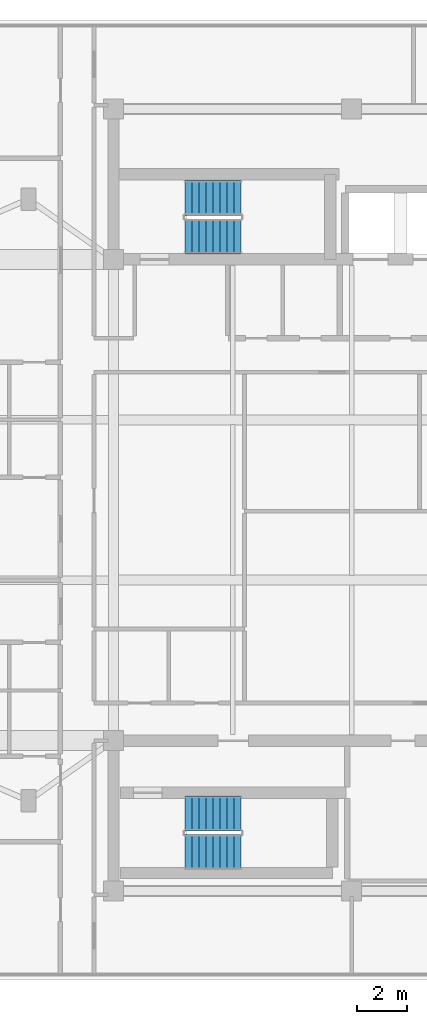
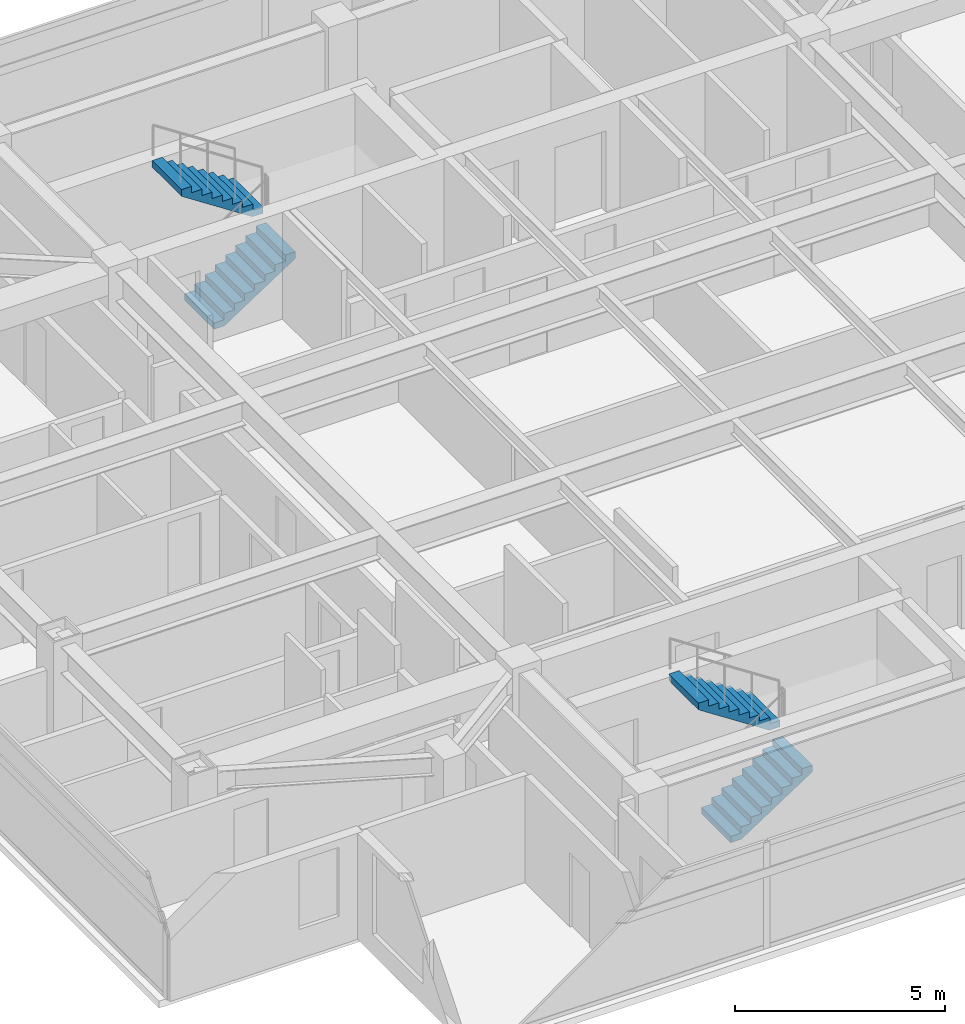
# One storey, part 11 of 14: 4 stair flights, 2 elements without a shape of their own.
"""IFC4 building model written with IfcOpenShell, lengths in metres."""

from ifc_helpers import new_model, si_unit, direction, frame, origin, place, context, subcontext, project, spatial, polyline, outline, extrude, material, type_object, element, aggregate, save


model = new_model("IFC4")

# Units and contexts
model_context = context("Model", 3, precision=1e-05, world=origin(), true_north=direction((0.0, 1.0)))
body_context = subcontext(model_context, "Body", "Model", "MODEL_VIEW")
ifc_project = project(units=[si_unit("LENGTHUNIT", "METRE"), si_unit("AREAUNIT", "SQUARE_METRE"), si_unit("VOLUMEUNIT", "CUBIC_METRE"), si_unit("PLANEANGLEUNIT", "RADIAN"), si_unit("MASSUNIT", "GRAM", prefix="KILO")], contexts=[model_context])

# Site, building, storey
site_placement = place(None, origin())
site = spatial("IfcSite", under=ifc_project, at=site_placement, CompositionType="ELEMENT")
building_placement = place(site_placement, origin())
building = spatial("IfcBuilding", under=site, at=building_placement, Name="Mirazonda Arch Towers", CompositionType="ELEMENT")
storey_placement = place(building_placement, frame((0.0, 0.0, 235.89990234375)))
storey = spatial("IfcBuildingStorey", under=building, at=storey_placement, Name="L67", CompositionType="ELEMENT", Elevation=235.89990234375)

# Stair, stair flights
ifc_material = material(Name="Concrete C40/50", Category="concrete")
stair_type = type_object("IfcStairType", Name="STAIR-CORE-1400", PredefinedType="HALF_TURN_STAIR", material=ifc_material)
stair_1_placement = place(storey_placement, origin())
stair_1 = element("IfcStair", 1, at=stair_1_placement, inside=storey, type_object=stair_type, Name="L67 Protected Exit Stair ST-T1N", PredefinedType="HALF_TURN_STAIR")
stair_flight_type = type_object("IfcStairFlightType", Name="FLIGHT-1400", PredefinedType="STRAIGHT", material=ifc_material)
stair_flight_1_placement = place(storey_placement, frame((13.85009765625, 38.52001953125, 0.0), z_axis=(0.0, 0.0, 1.0), x_axis=(1.0, 0.0, 0.0)))
stair_flight_1 = element("IfcStairFlight", 2, at=stair_flight_1_placement, type_object=stair_flight_type, Name="ST-T1N flight 1", NumberOfRisers=9, NumberOfTreads=8, PredefinedType="STRAIGHT", RiserHeight=0.183333333, TreadLength=0.28, context=body_context, shape_type="SweptSolid", body=[
    extrude(outline(polyline([(0.0, 0.0), (0.0, 0.183349609375), (0.280029296875, 0.183349609375), (0.280029296875, 0.36669921875), (0.56005859375, 0.36669921875), (0.56005859375, 0.550048828125), (0.840087890625, 0.550048828125), (0.840087890625, 0.7333984375), (1.1201171875, 0.7333984375), (1.1201171875, 0.916748046875), (1.39990234375, 0.916748046875), (1.39990234375, 1.10009765625), (1.679931640625, 1.10009765625), (1.679931640625, 1.283447265625), (1.9599609375, 1.283447265625), (1.9599609375, 1.466552734375), (2.239990234375, 1.466552734375), (2.239990234375, 1.64990234375), (2.239990234375, 1.275634765625), (0.2919921875, 0.0), (0.0, 0.0)])), frame((0.0, 0.699951171875, 0.0), z_axis=(0.0, -1.0, 0.0), x_axis=(1.0, 0.0, 0.0)), (0.0, 0.0, 1.0), 1.39990234375),
])
stair_flight_2_placement = place(storey_placement, frame((16.090087890625, 40.06005859375, 1.650146484375), z_axis=(0.0, 0.0, 1.0), x_axis=(-1.0, 0.0, 0.0)))
stair_flight_2 = element("IfcStairFlight", 3, at=stair_flight_2_placement, type_object=stair_flight_type, Name="ST-T1N flight 2", NumberOfRisers=9, NumberOfTreads=8, PredefinedType="STRAIGHT", RiserHeight=0.183333333, TreadLength=0.28, context=body_context, shape_type="SweptSolid", body=[
    extrude(outline(polyline([(0.0, 0.0), (0.0, 0.183349609375), (0.280029296875, 0.183349609375), (0.280029296875, 0.36669921875), (0.56005859375, 0.36669921875), (0.56005859375, 0.550048828125), (0.840087890625, 0.550048828125), (0.840087890625, 0.7333984375), (1.1201171875, 0.7333984375), (1.1201171875, 0.916748046875), (1.39990234375, 0.916748046875), (1.39990234375, 1.10009765625), (1.679931640625, 1.10009765625), (1.679931640625, 1.283447265625), (1.9599609375, 1.283447265625), (1.9599609375, 1.466552734375), (2.239990234375, 1.466552734375), (2.239990234375, 1.64990234375), (2.239990234375, 1.275634765625), (0.2919921875, 0.0), (0.0, 0.0)])), frame((0.0, 0.699951171875, 0.0), z_axis=(0.0, -1.0, 0.0), x_axis=(1.0, 0.0, 0.0)), (0.0, 0.0, 1.0), 1.39990234375),
])
aggregate(stair_1, [stair_flight_1, stair_flight_2])

stair_2_placement = place(storey_placement, origin())
stair_2 = element("IfcStair", 4, at=stair_2_placement, inside=storey, type_object=stair_type, Name="L67 Protected Exit Stair ST-T1S", PredefinedType="HALF_TURN_STAIR")
stair_flight_3_placement = place(storey_placement, frame((13.85009765625, 13.949951171875, 0.0), z_axis=(0.0, 0.0, 1.0), x_axis=(1.0, 0.0, 0.0)))
stair_flight_3 = element("IfcStairFlight", 5, at=stair_flight_3_placement, type_object=stair_flight_type, Name="ST-T1S flight 1", NumberOfRisers=9, NumberOfTreads=8, PredefinedType="STRAIGHT", RiserHeight=0.183333333, TreadLength=0.28, context=body_context, shape_type="SweptSolid", body=[
    extrude(outline(polyline([(0.0, 0.0), (0.0, 0.183349609375), (0.280029296875, 0.183349609375), (0.280029296875, 0.36669921875), (0.56005859375, 0.36669921875), (0.56005859375, 0.550048828125), (0.840087890625, 0.550048828125), (0.840087890625, 0.7333984375), (1.1201171875, 0.7333984375), (1.1201171875, 0.916748046875), (1.39990234375, 0.916748046875), (1.39990234375, 1.10009765625), (1.679931640625, 1.10009765625), (1.679931640625, 1.283447265625), (1.9599609375, 1.283447265625), (1.9599609375, 1.466552734375), (2.239990234375, 1.466552734375), (2.239990234375, 1.64990234375), (2.239990234375, 1.275634765625), (0.2919921875, 0.0), (0.0, 0.0)])), frame((0.0, 0.699951171875, 0.0), z_axis=(0.0, -1.0, 0.0), x_axis=(1.0, 0.0, 0.0)), (0.0, 0.0, 1.0), 1.39990234375),
])
stair_flight_4_placement = place(storey_placement, frame((16.090087890625, 15.489990234375, 1.650146484375), z_axis=(0.0, 0.0, 1.0), x_axis=(-1.0, 0.0, 0.0)))
stair_flight_4 = element("IfcStairFlight", 6, at=stair_flight_4_placement, type_object=stair_flight_type, Name="ST-T1S flight 2", NumberOfRisers=9, NumberOfTreads=8, PredefinedType="STRAIGHT", RiserHeight=0.183333333, TreadLength=0.28, context=body_context, shape_type="SweptSolid", body=[
    extrude(outline(polyline([(0.0, 0.0), (0.0, 0.183349609375), (0.280029296875, 0.183349609375), (0.280029296875, 0.36669921875), (0.56005859375, 0.36669921875), (0.56005859375, 0.550048828125), (0.840087890625, 0.550048828125), (0.840087890625, 0.7333984375), (1.1201171875, 0.7333984375), (1.1201171875, 0.916748046875), (1.39990234375, 0.916748046875), (1.39990234375, 1.10009765625), (1.679931640625, 1.10009765625), (1.679931640625, 1.283447265625), (1.9599609375, 1.283447265625), (1.9599609375, 1.466552734375), (2.239990234375, 1.466552734375), (2.239990234375, 1.64990234375), (2.239990234375, 1.275634765625), (0.2919921875, 0.0), (0.0, 0.0)])), frame((0.0, 0.699951171875, 0.0), z_axis=(0.0, -1.0, 0.0), x_axis=(1.0, 0.0, 0.0)), (0.0, 0.0, 1.0), 1.39990234375),
])
aggregate(stair_2, [stair_flight_3, stair_flight_4])

save(model, "model.ifc")
